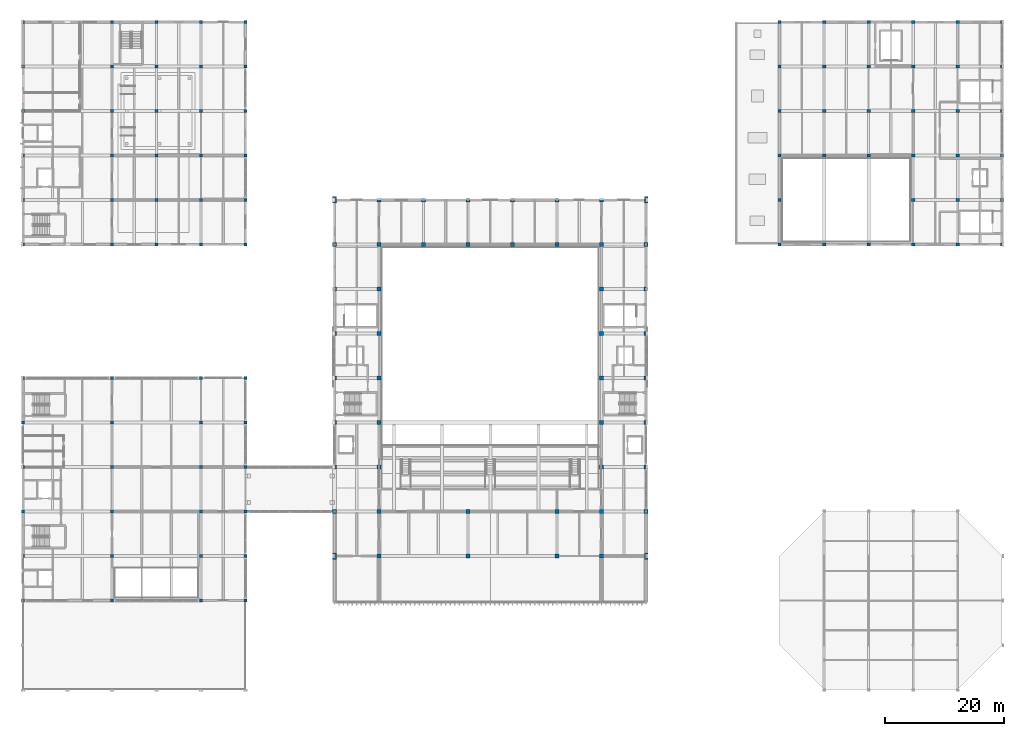
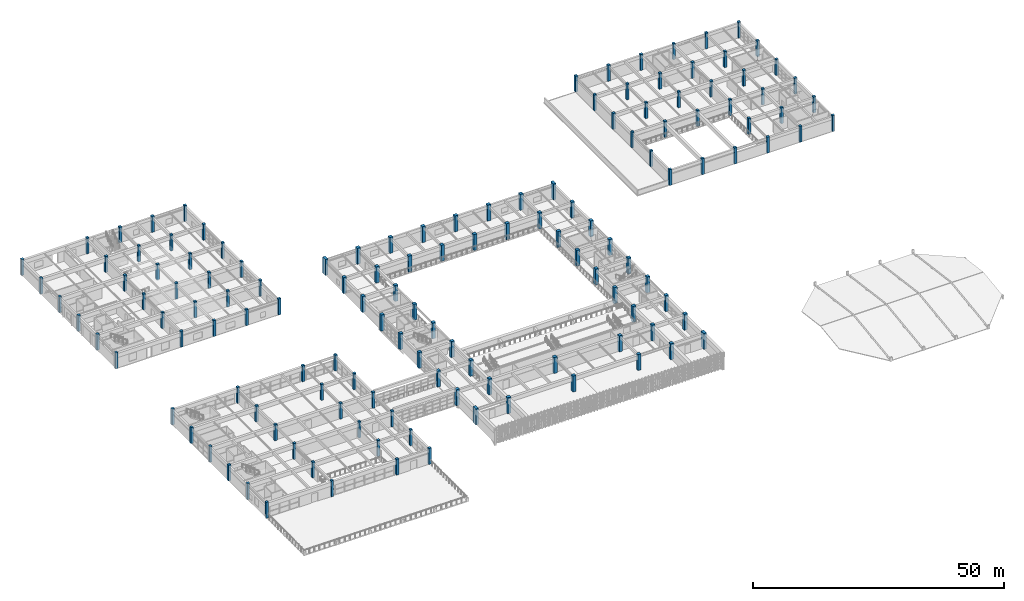
# One storey, part 1 of 101: 136 columns.
"""IFC4 building model written with IfcOpenShell, lengths in metres."""

from ifc_helpers import new_model, si_unit, direction, frame, origin, origin_2d, place, context, subcontext, project, spatial, rectangle, extrude, material, material_profile, profile_set, type_object, element, save


model = new_model("IFC4")

# Units and contexts
model_context = context("Model", 3, precision=1e-05, world=origin(), true_north=direction((0.0, 1.0)))
body_context = subcontext(model_context, "Body", "Model", "MODEL_VIEW")
ifc_project = project(units=[si_unit("LENGTHUNIT", "METRE"), si_unit("AREAUNIT", "SQUARE_METRE"), si_unit("VOLUMEUNIT", "CUBIC_METRE"), si_unit("PLANEANGLEUNIT", "RADIAN"), si_unit("MASSUNIT", "GRAM", prefix="KILO")], contexts=[model_context])

# Site, building, storey
site_placement = place(None, origin())
site = spatial("IfcSite", under=ifc_project, at=site_placement, CompositionType="ELEMENT")
building_placement = place(site_placement, origin())
building = spatial("IfcBuilding", under=site, at=building_placement, Name="Qasida Concert Hall", CompositionType="ELEMENT")
storey_placement = place(building_placement, frame((0.0, 0.0, 13.199951171875)))
storey = spatial("IfcBuildingStorey", under=building, at=storey_placement, Name="L03", CompositionType="ELEMENT", Elevation=13.199951171875)

# Columns
ifc_material = material(Name="Concrete C50/60", Category="concrete")
ifc_material_profile_1 = material_profile(ifc_material, rectangle(XDim=0.550048828125, YDim=0.550048828125, at=origin_2d()), Name="RC 550x550")
ifc_profile_set_1 = profile_set([ifc_material_profile_1], Name="Concrete C50/60")
column_type_1 = type_object("IfcColumnType", Name="COL-C-108", PredefinedType="COLUMN", material=ifc_profile_set_1)
for number, where, z_axis, x_axis, name in (
    (1, (0.0, 15.0, 0.0), (0.0, 0.0, 1.0), (1.0, 0.0, 0.0), "L03 column C-108 (V3)"),
    (2, (0.0, 22.5, 0.0), (0.0, 0.0, 1.0), (1.0, 0.0, 0.0), "L03 column C-108 (V3)"),
    (3, (0.0, 30.0, 0.0), (0.0, 0.0, 1.0), (1.0, 0.0, 0.0), "L03 column C-108 (V3)"),
    (4, (0.0, 37.5, 0.0), (0.0, 0.0, 1.0), (1.0, 0.0, 0.0), "L03 column C-108 (V3)"),
    (5, (0.0, 45.0, 0.0), (0.0, 0.0, 1.0), (1.0, 0.0, 0.0), "L03 column C-108 (V3)"),
    (6, (0.0, 52.5, 0.0), (0.0, 0.0, 1.0), (1.0, 0.0, 0.0), "L03 column C-108 (V3)"),
    (7, (15.0, 15.0, 0.0), (0.0, 0.0, 1.0), (1.0, 0.0, 0.0), "L03 column C-108 (V3)"),
    (8, (15.0, 22.5, 0.0), (0.0, 0.0, 1.0), (1.0, 0.0, 0.0), "L03 column C-108 (V3)"),
    (9, (15.0, 30.0, 0.0), (0.0, 0.0, 1.0), (1.0, 0.0, 0.0), "L03 column C-108 (V3)"),
    (10, (15.0, 37.5, 0.0), (0.0, 0.0, 1.0), (1.0, 0.0, 0.0), "L03 column C-108 (V3)"),
    (11, (15.0, 45.0, 0.0), (0.0, 0.0, 1.0), (1.0, 0.0, 0.0), "L03 column C-108 (V3)"),
    (12, (15.0, 52.5, 0.0), (0.0, 0.0, 1.0), (1.0, 0.0, 0.0), "L03 column C-108 (V3)"),
    (13, (30.0, 15.0, 0.0), (0.0, 0.0, 1.0), (1.0, 0.0, 0.0), "L03 column C-108 (V3)"),
    (14, (30.0, 22.5, 0.0), (0.0, 0.0, 1.0), (1.0, 0.0, 0.0), "L03 column C-108 (V3)"),
    (15, (30.0, 30.0, 0.0), (0.0, 0.0, 1.0), (1.0, 0.0, 0.0), "L03 column C-108 (V3)"),
    (16, (30.0, 37.5, 0.0), (0.0, 0.0, 1.0), (1.0, 0.0, 0.0), "L03 column C-108 (V3)"),
    (17, (30.0, 45.0, 0.0), (0.0, 0.0, 1.0), (1.0, 0.0, 0.0), "L03 column C-108 (V3)"),
    (18, (30.0, 52.5, 0.0), (0.0, 0.0, 1.0), (1.0, 0.0, 0.0), "L03 column C-108 (V3)"),
    (19, (37.5, 15.0, 0.0), (0.0, 0.0, 1.0), (1.0, 0.0, 0.0), "L03 column C-108 (V3)"),
    (20, (37.5, 22.5, 0.0), (0.0, 0.0, 1.0), (1.0, 0.0, 0.0), "L03 column C-108 (V3)"),
    (21, (37.5, 30.0, 0.0), (0.0, 0.0, 1.0), (1.0, 0.0, 0.0), "L03 column C-108 (V3)"),
    (22, (37.5, 37.5, 0.0), (0.0, 0.0, 1.0), (1.0, 0.0, 0.0), "L03 column C-108 (V3)"),
    (23, (37.5, 45.0, 0.0), (0.0, 0.0, 1.0), (1.0, 0.0, 0.0), "L03 column C-108 (V3)"),
    (24, (37.5, 52.5, 0.0), (0.0, 0.0, 1.0), (1.0, 0.0, 0.0), "L03 column C-108 (V3)"),
    (25, (127.5, 75.0, 0.0), (0.0, 0.0, 1.0), (1.0, 0.0, 0.0), "L03 column C-108 (V4)"),
    (26, (127.5, 82.5, 0.0), (0.0, 0.0, 1.0), (1.0, 0.0, 0.0), "L03 column C-108 (V4)"),
    (27, (127.5, 90.0, 0.0), (0.0, 0.0, 1.0), (1.0, 0.0, 0.0), "L03 column C-108 (V4)"),
    (28, (127.5, 97.5, 0.0), (0.0, 0.0, 1.0), (1.0, 0.0, 0.0), "L03 column C-108 (V4)"),
    (29, (127.5, 105.0, 0.0), (0.0, 0.0, 1.0), (1.0, 0.0, 0.0), "L03 column C-108 (V4)"),
    (30, (127.5, 112.5, 0.0), (0.0, 0.0, 1.0), (1.0, 0.0, 0.0), "L03 column C-108 (V4)"),
    (31, (135.0, 75.0, 0.0), (0.0, 0.0, 1.0), (1.0, 0.0, 0.0), "L03 column C-108 (V4)"),
    (32, (135.0, 90.0, 0.0), (0.0, 0.0, 1.0), (1.0, 0.0, 0.0), "L03 column C-108 (V4)"),
    (33, (135.0, 97.5, 0.0), (0.0, 0.0, 1.0), (1.0, 0.0, 0.0), "L03 column C-108 (V4)"),
    (34, (135.0, 105.0, 0.0), (0.0, 0.0, 1.0), (1.0, 0.0, 0.0), "L03 column C-108 (V4)"),
    (35, (135.0, 112.5, 0.0), (0.0, 0.0, 1.0), (1.0, 0.0, 0.0), "L03 column C-108 (V4)"),
    (36, (142.5, 75.0, 0.0), (0.0, 0.0, 1.0), (1.0, 0.0, 0.0), "L03 column C-108 (V4)"),
    (37, (142.5, 90.0, 0.0), (0.0, 0.0, 1.0), (1.0, 0.0, 0.0), "L03 column C-108 (V4)"),
    (38, (142.5, 97.5, 0.0), (0.0, 0.0, 1.0), (1.0, 0.0, 0.0), "L03 column C-108 (V4)"),
    (39, (142.5, 105.0, 0.0), (0.0, 0.0, 1.0), (1.0, 0.0, 0.0), "L03 column C-108 (V4)"),
    (40, (142.5, 112.5, 0.0), (0.0, 0.0, 1.0), (1.0, 0.0, 0.0), "L03 column C-108 (V4)"),
    (41, (150.0, 75.0, 0.0), (0.0, 0.0, 1.0), (1.0, 0.0, 0.0), "L03 column C-108 (V4)"),
    (42, (150.0, 82.5, 0.0), (0.0, 0.0, 1.0), (1.0, 0.0, 0.0), "L03 column C-108 (V4)"),
    (43, (150.0, 90.0, 0.0), (0.0, 0.0, 1.0), (1.0, 0.0, 0.0), "L03 column C-108 (V4)"),
    (44, (150.0, 97.5, 0.0), (0.0, 0.0, 1.0), (1.0, 0.0, 0.0), "L03 column C-108 (V4)"),
    (45, (150.0, 105.0, 0.0), (0.0, 0.0, 1.0), (1.0, 0.0, 0.0), "L03 column C-108 (V4)"),
    (46, (150.0, 112.5, 0.0), (0.0, 0.0, 1.0), (1.0, 0.0, 0.0), "L03 column C-108 (V4)"),
    (47, (157.5, 75.0, 0.0), (0.0, 0.0, 1.0), (1.0, 0.0, 0.0), "L03 column C-108 (V4)"),
    (48, (157.5, 82.5, 0.0), (0.0, 0.0, 1.0), (1.0, 0.0, 0.0), "L03 column C-108 (V4)"),
    (49, (157.5, 90.0, 0.0), (0.0, 0.0, 1.0), (1.0, 0.0, 0.0), "L03 column C-108 (V4)"),
    (50, (157.5, 97.5, 0.0), (0.0, 0.0, 1.0), (1.0, 0.0, 0.0), "L03 column C-108 (V4)"),
    (51, (157.5, 105.0, 0.0), (0.0, 0.0, 1.0), (1.0, 0.0, 0.0), "L03 column C-108 (V4)"),
    (52, (157.5, 112.5, 0.0), (0.0, 0.0, 1.0), (1.0, 0.0, 0.0), "L03 column C-108 (V4)"),
    (53, (165.0, 75.0, 0.0), (0.0, 0.0, 1.0), (1.0, 0.0, 0.0), "L03 column C-108 (V4)"),
    (54, (165.0, 82.5, 0.0), (0.0, 0.0, 1.0), (1.0, 0.0, 0.0), "L03 column C-108 (V4)"),
    (55, (165.0, 90.0, 0.0), (0.0, 0.0, 1.0), (1.0, 0.0, 0.0), "L03 column C-108 (V4)"),
    (56, (165.0, 97.5, 0.0), (0.0, 0.0, 1.0), (1.0, 0.0, 0.0), "L03 column C-108 (V4)"),
    (57, (165.0, 105.0, 0.0), (0.0, 0.0, 1.0), (1.0, 0.0, 0.0), "L03 column C-108 (V4)"),
    (58, (165.0, 112.5, 0.0), (0.0, 0.0, 1.0), (1.0, 0.0, 0.0), "L03 column C-108 (V4)"),
    (59, (0.0, 75.0, 0.0), (0.0, 0.0, 1.0), (1.0, 0.0, 0.0), "L03 column C-108 (V5)"),
    (60, (0.0, 82.5, 0.0), (0.0, 0.0, 1.0), (1.0, 0.0, 0.0), "L03 column C-108 (V5)"),
    (61, (0.0, 90.0, 0.0), (0.0, 0.0, 1.0), (1.0, 0.0, 0.0), "L03 column C-108 (V5)"),
    (62, (0.0, 97.5, 0.0), (0.0, 0.0, 1.0), (1.0, 0.0, 0.0), "L03 column C-108 (V5)"),
    (63, (0.0, 105.0, 0.0), (0.0, 0.0, 1.0), (1.0, 0.0, 0.0), "L03 column C-108 (V5)"),
    (64, (0.0, 112.5, 0.0), (0.0, 0.0, 1.0), (1.0, 0.0, 0.0), "L03 column C-108 (V5)"),
    (65, (15.0, 75.0, 0.0), (0.0, 0.0, 1.0), (1.0, 0.0, 0.0), "L03 column C-108 (V5)"),
    (66, (15.0, 82.5, 0.0), (0.0, 0.0, 1.0), (1.0, 0.0, 0.0), "L03 column C-108 (V5)"),
    (67, (15.0, 90.0, 0.0), (0.0, 0.0, 1.0), (1.0, 0.0, 0.0), "L03 column C-108 (V5)"),
    (68, (15.0, 97.5, 0.0), (0.0, 0.0, 1.0), (1.0, 0.0, 0.0), "L03 column C-108 (V5)"),
    (69, (15.0, 105.0, 0.0), (0.0, 0.0, 1.0), (1.0, 0.0, 0.0), "L03 column C-108 (V5)"),
    (70, (15.0, 112.5, 0.0), (0.0, 0.0, 1.0), (1.0, 0.0, 0.0), "L03 column C-108 (V5)"),
    (71, (22.5, 75.0, 0.0), (0.0, 0.0, 1.0), (1.0, 0.0, 0.0), "L03 column C-108 (V5)"),
    (72, (22.5, 82.5, 0.0), (0.0, 0.0, 1.0), (1.0, 0.0, 0.0), "L03 column C-108 (V5)"),
    (73, (22.5, 90.0, 0.0), (0.0, 0.0, 1.0), (1.0, 0.0, 0.0), "L03 column C-108 (V5)"),
    (74, (22.5, 97.5, 0.0), (0.0, 0.0, 1.0), (1.0, 0.0, 0.0), "L03 column C-108 (V5)"),
    (75, (22.5, 105.0, 0.0), (0.0, 0.0, 1.0), (1.0, 0.0, 0.0), "L03 column C-108 (V5)"),
    (76, (22.5, 112.5, 0.0), (0.0, 0.0, 1.0), (1.0, 0.0, 0.0), "L03 column C-108 (V5)"),
    (77, (30.0, 75.0, 0.0), (0.0, 0.0, 1.0), (1.0, 0.0, 0.0), "L03 column C-108 (V5)"),
    (78, (30.0, 82.5, 0.0), (0.0, 0.0, 1.0), (1.0, 0.0, 0.0), "L03 column C-108 (V5)"),
    (79, (30.0, 90.0, 0.0), (0.0, 0.0, 1.0), (1.0, 0.0, 0.0), "L03 column C-108 (V5)"),
    (80, (30.0, 97.5, 0.0), (0.0, 0.0, 1.0), (1.0, 0.0, 0.0), "L03 column C-108 (V5)"),
    (81, (30.0, 105.0, 0.0), (0.0, 0.0, 1.0), (1.0, 0.0, 0.0), "L03 column C-108 (V5)"),
    (82, (30.0, 112.5, 0.0), (0.0, 0.0, 1.0), (1.0, 0.0, 0.0), "L03 column C-108 (V5)"),
    (83, (37.5, 75.0, 0.0), (0.0, 0.0, 1.0), (1.0, 0.0, 0.0), "L03 column C-108 (V5)"),
    (84, (37.5, 82.5, 0.0), (0.0, 0.0, 1.0), (1.0, 0.0, 0.0), "L03 column C-108 (V5)"),
    (85, (37.5, 90.0, 0.0), (0.0, 0.0, 1.0), (1.0, 0.0, 0.0), "L03 column C-108 (V5)"),
    (86, (37.5, 97.5, 0.0), (0.0, 0.0, 1.0), (1.0, 0.0, 0.0), "L03 column C-108 (V5)"),
    (87, (37.5, 105.0, 0.0), (0.0, 0.0, 1.0), (1.0, 0.0, 0.0), "L03 column C-108 (V5)"),
    (88, (37.5, 112.5, 0.0), (0.0, 0.0, 1.0), (1.0, 0.0, 0.0), "L03 column C-108 (V5)"),
):
    element("IfcColumn", number, at=place(storey_placement, frame(where, z_axis=z_axis, x_axis=x_axis)), inside=storey, type_object=column_type_1, Name=name, PredefinedType="COLUMN", context=body_context, shape_type="SweptSolid", body=[
        extrude(rectangle(XDim=0.550048828125, YDim=0.550048828125, at=origin_2d()), origin(), (0.0, 0.0, 1.0), 3.900146484375),
    ])
ifc_material_profile_2 = material_profile(ifc_material, rectangle(XDim=0.60009765625, YDim=1.10009765625, at=origin_2d()), Name="RC 600x1100")
ifc_profile_set_2 = profile_set([ifc_material_profile_2], Name="Concrete C50/60")
column_type_2 = type_object("IfcColumnType", Name="COL-C-112", PredefinedType="COLUMN", material=ifc_profile_set_2)
for number, where, z_axis, x_axis, name in (
    (89, (52.5, 22.5, 0.0), (0.0, 0.0, 1.0), (1.0, 0.0, 0.0), "L03 column C-112 (V1)"),
    (90, (52.5, 82.5, 0.0), (0.0, 0.0, 1.0), (1.0, 0.0, 0.0), "L03 column C-112 (V1)"),
    (91, (105.0, 22.5, 0.0), (0.0, 0.0, 1.0), (1.0, 0.0, 0.0), "L03 column C-112 (V1)"),
    (92, (105.0, 82.5, 0.0), (0.0, 0.0, 1.0), (1.0, 0.0, 0.0), "L03 column C-112 (V1)"),
):
    element("IfcColumn", number, at=place(storey_placement, frame(where, z_axis=z_axis, x_axis=x_axis)), inside=storey, type_object=column_type_2, Name=name, PredefinedType="COLUMN", context=body_context, shape_type="SweptSolid", body=[
        extrude(rectangle(XDim=0.60009765625, YDim=1.10009765625, at=origin_2d()), origin(), (0.0, 0.0, 1.0), 3.900146484375),
    ])
ifc_material_profile_3 = material_profile(ifc_material, rectangle(XDim=0.719970703125, YDim=0.719970703125, at=origin_2d()), Name="RC 720x720")
ifc_profile_set_3 = profile_set([ifc_material_profile_3], Name="Concrete C50/60")
column_type_3 = type_object("IfcColumnType", Name="COL-C-119", PredefinedType="COLUMN", material=ifc_profile_set_3)
for number, where, z_axis, x_axis, name in (
    (93, (52.5, 30.0, 0.0), (0.0, 0.0, 1.0), (1.0, 0.0, 0.0), "L03 column C-119 (V1)"),
    (94, (52.5, 37.5, 0.0), (0.0, 0.0, 1.0), (1.0, 0.0, 0.0), "L03 column C-119 (V1)"),
    (95, (52.5, 45.0, 0.0), (0.0, 0.0, 1.0), (1.0, 0.0, 0.0), "L03 column C-119 (V1)"),
    (96, (52.5, 52.5, 0.0), (0.0, 0.0, 1.0), (1.0, 0.0, 0.0), "L03 column C-119 (V1)"),
    (97, (52.5, 60.0, 0.0), (0.0, 0.0, 1.0), (1.0, 0.0, 0.0), "L03 column C-119 (V1)"),
    (98, (52.5, 67.5, 0.0), (0.0, 0.0, 1.0), (1.0, 0.0, 0.0), "L03 column C-119 (V1)"),
    (99, (52.5, 75.0, 0.0), (0.0, 0.0, 1.0), (1.0, 0.0, 0.0), "L03 column C-119 (V1)"),
    (100, (60.0, 22.5, 0.0), (0.0, 0.0, 1.0), (1.0, 0.0, 0.0), "L03 column C-119 (V1)"),
    (101, (60.0, 30.0, 0.0), (0.0, 0.0, 1.0), (1.0, 0.0, 0.0), "L03 column C-119 (V1)"),
    (102, (60.0, 37.5, 0.0), (0.0, 0.0, 1.0), (1.0, 0.0, 0.0), "L03 column C-119 (V1)"),
    (103, (60.0, 45.0, 0.0), (0.0, 0.0, 1.0), (1.0, 0.0, 0.0), "L03 column C-119 (V1)"),
    (104, (60.0, 52.5, 0.0), (0.0, 0.0, 1.0), (1.0, 0.0, 0.0), "L03 column C-119 (V1)"),
    (105, (60.0, 60.0, 0.0), (0.0, 0.0, 1.0), (1.0, 0.0, 0.0), "L03 column C-119 (V1)"),
    (106, (60.0, 67.5, 0.0), (0.0, 0.0, 1.0), (1.0, 0.0, 0.0), "L03 column C-119 (V1)"),
    (107, (60.0, 75.0, 0.0), (0.0, 0.0, 1.0), (1.0, 0.0, 0.0), "L03 column C-119 (V1)"),
    (108, (60.0, 82.5, 0.0), (0.0, 0.0, 1.0), (1.0, 0.0, 0.0), "L03 column C-119 (V1)"),
    (109, (67.5, 75.0, 0.0), (0.0, 0.0, 1.0), (1.0, 0.0, 0.0), "L03 column C-119 (V1)"),
    (110, (67.5, 82.5, 0.0), (0.0, 0.0, 1.0), (1.0, 0.0, 0.0), "L03 column C-119 (V1)"),
    (111, (75.0, 22.5, 0.0), (0.0, 0.0, 1.0), (1.0, 0.0, 0.0), "L03 column C-119 (V1)"),
    (112, (75.0, 30.0, 0.0), (0.0, 0.0, 1.0), (1.0, 0.0, 0.0), "L03 column C-119 (V1)"),
    (113, (75.0, 75.0, 0.0), (0.0, 0.0, 1.0), (1.0, 0.0, 0.0), "L03 column C-119 (V1)"),
    (114, (75.0, 82.5, 0.0), (0.0, 0.0, 1.0), (1.0, 0.0, 0.0), "L03 column C-119 (V1)"),
    (115, (82.5, 75.0, 0.0), (0.0, 0.0, 1.0), (1.0, 0.0, 0.0), "L03 column C-119 (V1)"),
    (116, (82.5, 82.5, 0.0), (0.0, 0.0, 1.0), (1.0, 0.0, 0.0), "L03 column C-119 (V1)"),
    (117, (90.0, 22.5, 0.0), (0.0, 0.0, 1.0), (1.0, 0.0, 0.0), "L03 column C-119 (V1)"),
    (118, (90.0, 30.0, 0.0), (0.0, 0.0, 1.0), (1.0, 0.0, 0.0), "L03 column C-119 (V1)"),
    (119, (90.0, 75.0, 0.0), (0.0, 0.0, 1.0), (1.0, 0.0, 0.0), "L03 column C-119 (V1)"),
    (120, (90.0, 82.5, 0.0), (0.0, 0.0, 1.0), (1.0, 0.0, 0.0), "L03 column C-119 (V1)"),
    (121, (97.5, 22.5, 0.0), (0.0, 0.0, 1.0), (1.0, 0.0, 0.0), "L03 column C-119 (V1)"),
    (122, (97.5, 30.0, 0.0), (0.0, 0.0, 1.0), (1.0, 0.0, 0.0), "L03 column C-119 (V1)"),
    (123, (97.5, 37.5, 0.0), (0.0, 0.0, 1.0), (1.0, 0.0, 0.0), "L03 column C-119 (V1)"),
    (124, (97.5, 45.0, 0.0), (0.0, 0.0, 1.0), (1.0, 0.0, 0.0), "L03 column C-119 (V1)"),
    (125, (97.5, 52.5, 0.0), (0.0, 0.0, 1.0), (1.0, 0.0, 0.0), "L03 column C-119 (V1)"),
    (126, (97.5, 60.0, 0.0), (0.0, 0.0, 1.0), (1.0, 0.0, 0.0), "L03 column C-119 (V1)"),
    (127, (97.5, 67.5, 0.0), (0.0, 0.0, 1.0), (1.0, 0.0, 0.0), "L03 column C-119 (V1)"),
    (128, (97.5, 75.0, 0.0), (0.0, 0.0, 1.0), (1.0, 0.0, 0.0), "L03 column C-119 (V1)"),
    (129, (97.5, 82.5, 0.0), (0.0, 0.0, 1.0), (1.0, 0.0, 0.0), "L03 column C-119 (V1)"),
    (130, (105.0, 30.0, 0.0), (0.0, 0.0, 1.0), (1.0, 0.0, 0.0), "L03 column C-119 (V1)"),
    (131, (105.0, 37.5, 0.0), (0.0, 0.0, 1.0), (1.0, 0.0, 0.0), "L03 column C-119 (V1)"),
    (132, (105.0, 45.0, 0.0), (0.0, 0.0, 1.0), (1.0, 0.0, 0.0), "L03 column C-119 (V1)"),
    (133, (105.0, 52.5, 0.0), (0.0, 0.0, 1.0), (1.0, 0.0, 0.0), "L03 column C-119 (V1)"),
    (134, (105.0, 60.0, 0.0), (0.0, 0.0, 1.0), (1.0, 0.0, 0.0), "L03 column C-119 (V1)"),
    (135, (105.0, 67.5, 0.0), (0.0, 0.0, 1.0), (1.0, 0.0, 0.0), "L03 column C-119 (V1)"),
    (136, (105.0, 75.0, 0.0), (0.0, 0.0, 1.0), (1.0, 0.0, 0.0), "L03 column C-119 (V1)"),
):
    element("IfcColumn", number, at=place(storey_placement, frame(where, z_axis=z_axis, x_axis=x_axis)), inside=storey, type_object=column_type_3, Name=name, PredefinedType="COLUMN", context=body_context, shape_type="SweptSolid", body=[
        extrude(rectangle(XDim=0.719970703125, YDim=0.719970703125, at=origin_2d()), origin(), (0.0, 0.0, 1.0), 3.900146484375),
    ])

save(model, "model.ifc")
